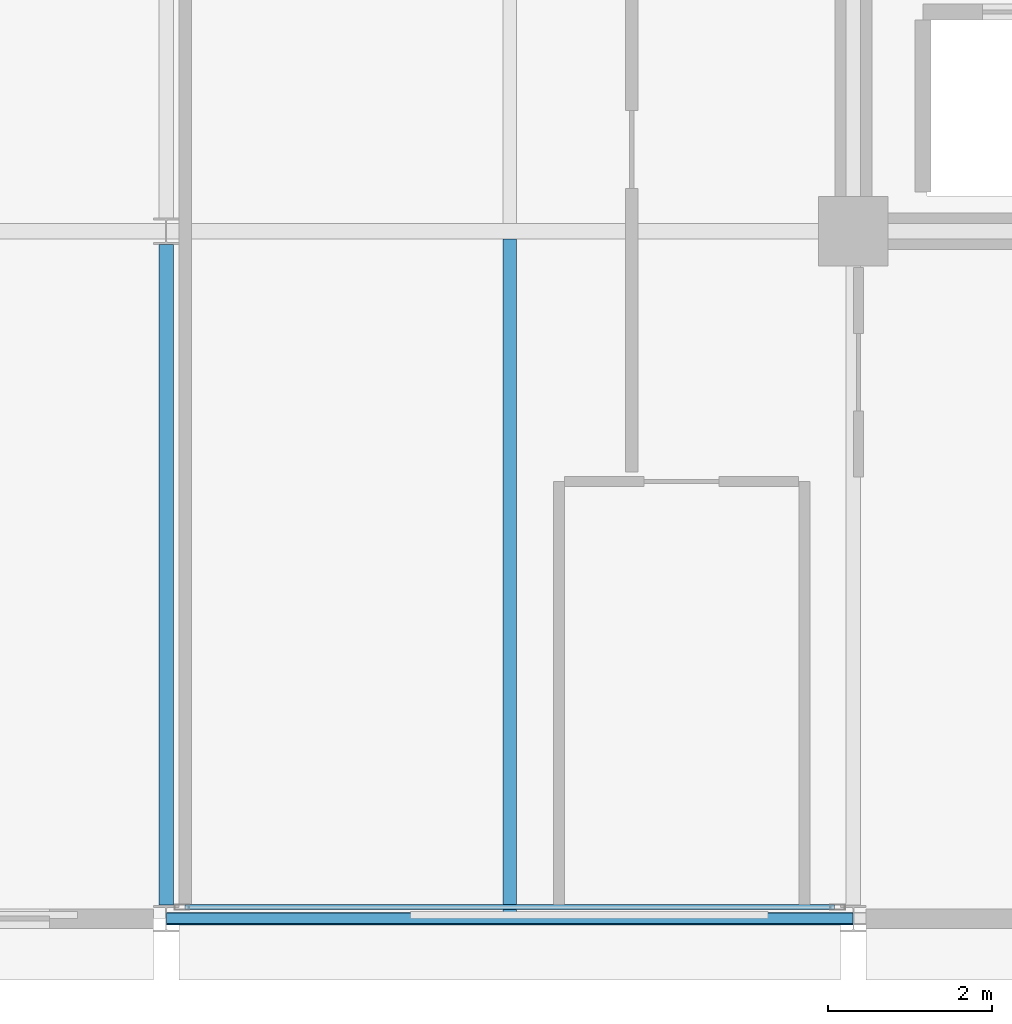
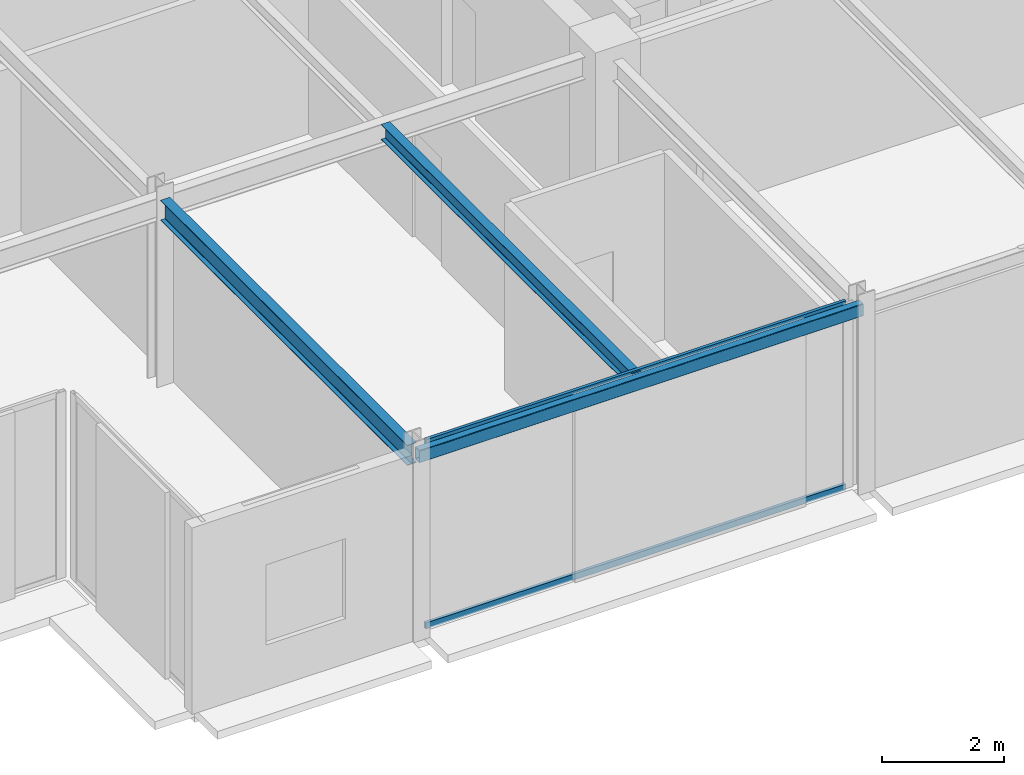
# One storey, part 4 of 25: 3 beams, 2 members, 1 element without a shape of its own.
"""IFC4 building model written with IfcOpenShell, lengths in metres."""

from ifc_helpers import new_model, si_unit, direction, frame, origin, origin_2d, place, context, subcontext, project, spatial, hollow_rectangle, i_section, extrude, material, layer, layer_set, material_profile, profile_set, type_object, element, aggregate, save


model = new_model("IFC4")

# Units and contexts
model_context = context("Model", 3, precision=1e-05, world=origin(), true_north=direction((0.0, 1.0)))
body_context = subcontext(model_context, "Body", "Model", "MODEL_VIEW")
ifc_project = project(units=[si_unit("LENGTHUNIT", "METRE"), si_unit("AREAUNIT", "SQUARE_METRE"), si_unit("VOLUMEUNIT", "CUBIC_METRE"), si_unit("PLANEANGLEUNIT", "RADIAN"), si_unit("MASSUNIT", "GRAM", prefix="KILO")], contexts=[model_context])

# Site, building, storey
site_placement = place(None, origin())
site = spatial("IfcSite", under=ifc_project, at=site_placement, CompositionType="ELEMENT")
building_placement = place(site_placement, origin())
building = spatial("IfcBuilding", under=site, at=building_placement, Name="Nerrivon Quay Data Exchange", CompositionType="ELEMENT")
storey_placement = place(building_placement, frame((0.0, 0.0, 302.199951171875)))
storey = spatial("IfcBuildingStorey", under=building, at=storey_placement, Name="L72", CompositionType="ELEMENT", Elevation=302.199951171875)

# Beams
ifc_material_1 = material(Name="Steel Grade 350", Category="steel")
ifc_material_profile_1 = material_profile(ifc_material_1, i_section(OverallWidth=0.177978515625, OverallDepth=0.406005859375, WebThickness=0.0078125, FlangeThickness=0.0126953125, FilletRadius=0.011474609375, at=origin_2d()), Name="410UB59.7")
ifc_profile_set_1 = profile_set([ifc_material_profile_1], Name="Steel Grade 350")
beam_type_1 = type_object("IfcBeamType", Name="BM-J1-410UB60", PredefinedType="JOIST", material=ifc_profile_set_1)
beam_1_placement = place(storey_placement, frame((8.39990234375, 0.16357421875, 3.52197265625), z_axis=(0.0, 1.0, 0.0), x_axis=(-1.0, 0.0, 0.0)))
element("IfcBeam", 1, at=beam_1_placement, inside=storey, type_object=beam_type_1, Name="L72 NS Girder X=8.4 (0.0..8.4)", PredefinedType="JOIST", context=body_context, shape_type="SweptSolid", body=[
    extrude(i_section(OverallWidth=0.177978515625, OverallDepth=0.406005859375, WebThickness=0.0078125, FlangeThickness=0.0126953125, FilletRadius=0.011474609375, at=origin_2d()), origin(), (0.0, 0.0, 1.0), 8.072998046875),
])
ifc_material_profile_2 = material_profile(ifc_material_1, i_section(OverallWidth=0.1650390625, OverallDepth=0.303955078125, WebThickness=0.006103515625, FlangeThickness=0.01025390625, FilletRadius=0.011474609375, at=origin_2d()), Name="310UB40.4")
ifc_profile_set_2 = profile_set([ifc_material_profile_2], Name="Steel Grade 350")
beam_type_2 = type_object("IfcBeamType", Name="BM-J6-310UB40", PredefinedType="JOIST", material=ifc_profile_set_2)
beam_2_placement = place(storey_placement, frame((12.60009765625, 0.074951171875, 3.572998046875), z_axis=(0.0, 1.0, 0.0), x_axis=(-1.0, 0.0, 0.0)))
element("IfcBeam", 2, at=beam_2_placement, inside=storey, type_object=beam_type_2, Name="L72 Secondary Joist X=12.6 (0.0..8.4)", PredefinedType="JOIST", context=body_context, shape_type="SweptSolid", body=[
    extrude(i_section(OverallWidth=0.1650390625, OverallDepth=0.303955078125, WebThickness=0.006103515625, FlangeThickness=0.01025390625, FilletRadius=0.011474609375, at=origin_2d()), origin(), (0.0, 0.0, 1.0), 8.22998046875),
])
ifc_material_2 = material(Name="Steel Grade C350L0 (350 MPa)", Category="steel")
ifc_material_profile_3 = material_profile(ifc_material_2, hollow_rectangle(XDim=0.14990234375, YDim=0.25, WallThickness=0.009033203125, InnerFilletRadius=0.013427734375, OuterFilletRadius=0.0224609375, at=origin_2d()), Name="250x150x9.0RHS")
ifc_profile_set_3 = profile_set([ifc_material_profile_3], Name="Steel Grade C350L0 (350 MPa)")
beam_type_3 = type_object("IfcBeamType", Name="BM-SP4-250x150RHS", PredefinedType="SPANDREL", material=ifc_profile_set_3)
beam_3_placement = place(storey_placement, frame((8.40771484375, 0.0, 3.60009765625), z_axis=(1.0, 0.0, 0.0), x_axis=(0.0, 1.0, 0.0)))
element("IfcBeam", 3, at=beam_3_placement, inside=storey, type_object=beam_type_3, Name="L72 EW Girder Y=0.0 (8.4..16.8)", PredefinedType="SPANDREL", context=body_context, shape_type="SweptSolid", body=[
    extrude(hollow_rectangle(XDim=0.14990234375, YDim=0.25, WallThickness=0.009033203125, InnerFilletRadius=0.013427734375, OuterFilletRadius=0.0224609375, at=origin_2d()), origin(), (0.0, 0.0, 1.0), 8.38427734375),
])

# Curtain wall, members
ifc_material_3 = material(Name="Anodised aluminium 6063-T6", Category="aluminium")
ifc_layer = layer(ifc_material_3, 0.195068359375)
ifc_layer_set = layer_set([ifc_layer], Name="Anodised aluminium 6063-T6")
curtain_wall_type = type_object("IfcCurtainWallType", Name="CW-SYS-06", PredefinedType="NOTDEFINED", material=ifc_layer_set)
curtain_wall_placement = place(storey_placement, origin())
curtain_wall = element("IfcCurtainWall", 4, at=curtain_wall_placement, inside=storey, type_object=curtain_wall_type, Name="L72 Unitised Curtain Wall 4", PredefinedType="NOTDEFINED")
ifc_material_profile_4 = material_profile(ifc_material_3, hollow_rectangle(XDim=0.06005859375, YDim=0.1201171875, WallThickness=0.003173828125, at=origin_2d()), Name="ALU-TRAN-120x60")
ifc_profile_set_4 = profile_set([ifc_material_profile_4], Name="Anodised aluminium 6063-T6")
member_type = type_object("IfcMemberType", Name="CWT-120x60", PredefinedType="USERDEFINED", material=ifc_profile_set_4)
member_1_placement = place(storey_placement, frame((16.569580078125, 0.139892578125, 0.032470703125), z_axis=(-1.0, 0.0, 0.0), x_axis=(0.0, -1.0, 0.0)))
member_1 = element("IfcMember", 5, at=member_1_placement, type_object=member_type, Name="CW06 transom 1.1", ObjectType="TRANSOM", PredefinedType="USERDEFINED", context=body_context, shape_type="SweptSolid", body=[
    extrude(hollow_rectangle(XDim=0.06005859375, YDim=0.1201171875, WallThickness=0.003173828125, at=origin_2d()), origin(), (0.0, 0.0, 1.0), 7.93896484375),
])
member_2_placement = place(storey_placement, frame((16.569580078125, 0.139892578125, 3.692626953125), z_axis=(-1.0, 0.0, 0.0), x_axis=(0.0, -1.0, 0.0)))
member_2 = element("IfcMember", 6, at=member_2_placement, type_object=member_type, Name="CW06 transom 1.2", ObjectType="TRANSOM", PredefinedType="USERDEFINED", context=body_context, shape_type="SweptSolid", body=[
    extrude(hollow_rectangle(XDim=0.06005859375, YDim=0.1201171875, WallThickness=0.003173828125, at=origin_2d()), origin(), (0.0, 0.0, 1.0), 7.93896484375),
])
aggregate(curtain_wall, [member_1, member_2])

save(model, "model.ifc")
